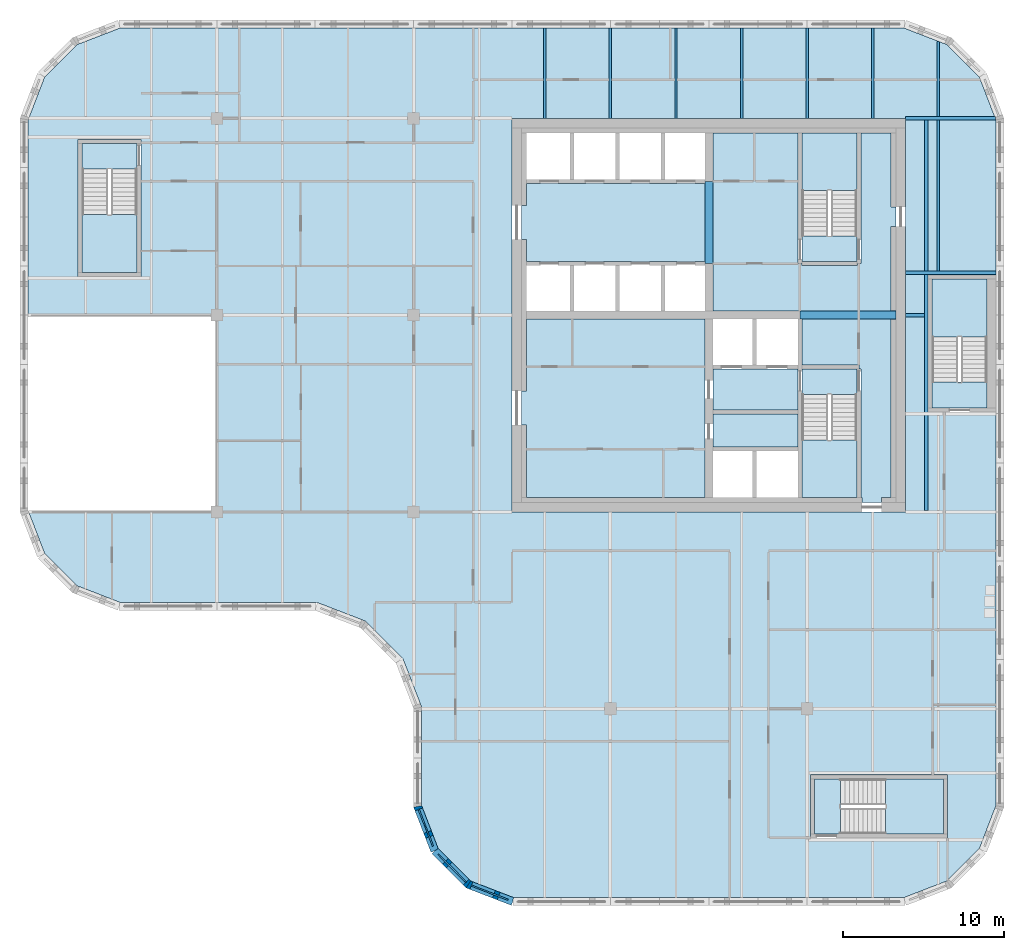
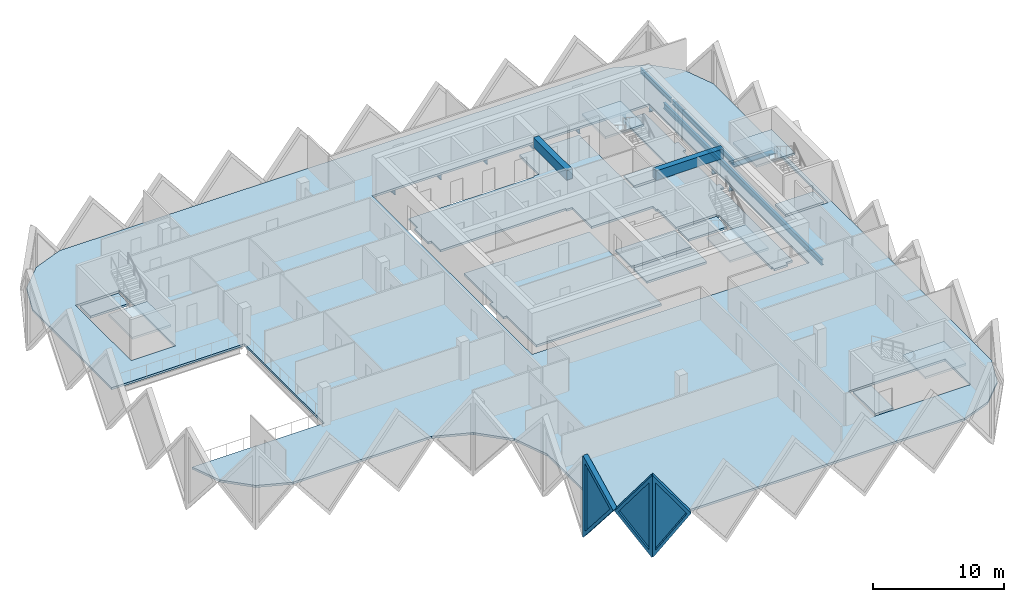
# One storey, part 2 of 12: 15 slabs, 14 beams, 3 plates, 3 walls, 3 openings, 5 elements without a shape of their own.
"""IFC4 building model written with IfcOpenShell, lengths in metres."""

from ifc_helpers import new_model, si_unit, direction, frame, origin, origin_2d, place, context, subcontext, project, spatial, polyline, rectangle, i_section, outline, extrude, faceted_brep, source, transform, mapped, material, layer, layer_set, material_profile, profile_set, type_object, element, fill, aggregate, save


model = new_model("IFC4")

# Units and contexts
model_context = context("Model", 3, precision=1e-05, world=origin(), true_north=direction((0.0, 1.0)))
body_context = subcontext(model_context, "Body", "Model", "MODEL_VIEW")
ifc_project = project(units=[si_unit("LENGTHUNIT", "METRE"), si_unit("AREAUNIT", "SQUARE_METRE"), si_unit("VOLUMEUNIT", "CUBIC_METRE"), si_unit("PLANEANGLEUNIT", "RADIAN"), si_unit("MASSUNIT", "GRAM", prefix="KILO")], contexts=[model_context])

# Site, building, storey
site_placement = place(None, origin())
site = spatial("IfcSite", under=ifc_project, at=site_placement, CompositionType="ELEMENT")
building_placement = place(site_placement, origin())
building = spatial("IfcBuilding", under=site, at=building_placement, Name="Tessera Gate Towers", CompositionType="ELEMENT")
storey_placement = place(building_placement, frame((0.0, 0.0, 182.0)))
storey = spatial("IfcBuildingStorey", under=building, at=storey_placement, Name="L45", CompositionType="ELEMENT", Elevation=182.0)

# Beams
ifc_material_1 = material(Name="Concrete C50/60", Category="concrete")
ifc_material_profile_1 = material_profile(ifc_material_1, rectangle(XDim=0.5, YDim=0.89990234375, at=origin_2d()), Name="RC 500x900")
ifc_profile_set_1 = profile_set([ifc_material_profile_1], Name="Concrete C50/60")
beam_type_1 = type_object("IfcBeamType", Name="COUPLING BEAM 500x900 C50/60", PredefinedType="BEAM", material=ifc_profile_set_1)
beam_1_placement = place(storey_placement, frame((48.35009765625, 36.60009765625, 3.14990234375), z_axis=(1.0, 0.0, 0.0), x_axis=(0.0, 1.0, 0.0)))
element("IfcBeam", 1, at=beam_1_placement, inside=storey, type_object=beam_type_1, Name="L45 coupling beam 1", PredefinedType="BEAM", context=body_context, shape_type="SweptSolid", body=[
    extrude(rectangle(XDim=0.5, YDim=0.89990234375, at=origin_2d()), origin(), (0.0, 0.0, 1.0), 5.949951171875),
])
beam_2_placement = place(storey_placement, frame((42.699951171875, 39.800048828125, 3.14990234375), z_axis=(0.0, 1.0, 0.0), x_axis=(-1.0, 0.0, 0.0)))
element("IfcBeam", 2, at=beam_2_placement, inside=storey, type_object=beam_type_1, Name="L45 coupling beam 2", PredefinedType="BEAM", context=body_context, shape_type="SweptSolid", body=[
    extrude(rectangle(XDim=0.5, YDim=0.89990234375, at=origin_2d()), origin(), (0.0, 0.0, 1.0), 5.099853515625),
])
ifc_material_2 = material(Name="Steel 350W", Category="steel")
ifc_material_profile_2 = material_profile(ifc_material_2, i_section(OverallWidth=0.208984375, OverallDepth=0.532958984375, WebThickness=0.01025390625, FlangeThickness=0.015625, at=origin_2d()), Name="W530x92")
ifc_profile_set_2 = profile_set([ifc_material_profile_2], Name="Steel 350W")
beam_type_2 = type_object("IfcBeamType", Name="FLOOR GIRDER W530x92", PredefinedType="BEAM", material=ifc_profile_set_2)
beam_3_placement = place(storey_placement, frame((54.89892578125, 36.60009765625, -0.466552734375), z_axis=(1.0, 0.0, 0.0), x_axis=(0.0, 1.0, 0.0)))
element("IfcBeam", 3, at=beam_3_placement, inside=storey, type_object=beam_type_2, Name="T1-GD-L45-4896", PredefinedType="BEAM", context=body_context, shape_type="SweptSolid", body=[
    extrude(i_section(OverallWidth=0.208984375, OverallDepth=0.532958984375, WebThickness=0.01025390625, FlangeThickness=0.015625, at=origin_2d()), origin(), (0.0, 0.0, 1.0), 1.176513671875),
])
beam_4_placement = place(storey_placement, frame((54.90087890625, 48.800048828125, -0.466552734375), z_axis=(1.0, 0.0, 0.0), x_axis=(0.0, 1.0, 0.0)))
element("IfcBeam", 4, at=beam_4_placement, inside=storey, type_object=beam_type_2, Name="T1-GD-L45-4900", PredefinedType="BEAM", context=body_context, shape_type="SweptSolid", body=[
    extrude(i_section(OverallWidth=0.208984375, OverallDepth=0.532958984375, WebThickness=0.01025390625, FlangeThickness=0.015625, at=origin_2d()), origin(), (0.0, 0.0, 1.0), 5.564208984375),
])
beam_5_placement = place(storey_placement, frame((54.89892578125, 39.219970703125, -0.466552734375), z_axis=(1.0, 0.0, 0.0), x_axis=(0.0, 1.0, 0.0)))
element("IfcBeam", 5, at=beam_5_placement, inside=storey, type_object=beam_type_2, Name="T1-GD-L45-4918", PredefinedType="BEAM", context=body_context, shape_type="SweptSolid", body=[
    extrude(i_section(OverallWidth=0.208984375, OverallDepth=0.532958984375, WebThickness=0.01025390625, FlangeThickness=0.015625, at=origin_2d()), origin(), (0.0, 0.0, 1.0), 5.60205078125),
])
beam_6_placement = place(storey_placement, frame((56.179931640625, 24.50439453125, -0.466552734375), z_axis=(0.0, 1.0, 0.0), x_axis=(-1.0, 0.0, 0.0)))
element("IfcBeam", 6, at=beam_6_placement, inside=storey, type_object=beam_type_2, Name="T1-GD-L45-4919", PredefinedType="BEAM", context=body_context, shape_type="SweptSolid", body=[
    extrude(i_section(OverallWidth=0.208984375, OverallDepth=0.532958984375, WebThickness=0.01025390625, FlangeThickness=0.015625, at=origin_2d()), origin(), (0.0, 0.0, 1.0), 24.191162109375),
])
ifc_material_3 = material(Name="Steel 350W", Category="steel")
ifc_material_profile_3 = material_profile(ifc_material_3, i_section(OverallWidth=0.153076171875, OverallDepth=0.455078125, WebThickness=0.008056640625, FlangeThickness=0.01318359375, at=origin_2d()), Name="W460x60")
ifc_profile_set_3 = profile_set([ifc_material_profile_3], Name="Steel 350W")
beam_type_3 = type_object("IfcBeamType", Name="FLOOR SECONDARY W460x60", PredefinedType="BEAM", material=ifc_profile_set_3)
for number, where, z_axis, x_axis, name in (
    (7, (32.533203125, 48.800048828125, -0.427490234375), (0.0, 1.0, 0.0), (-1.0, 0.0, 0.0), "T1-BM-L45-4941"),
    (8, (36.60009765625, 48.800048828125, -0.427490234375), (0.0, 1.0, 0.0), (-1.0, 0.0, 0.0), "T1-BM-L45-4942"),
    (9, (40.666748046875, 48.800048828125, -0.427490234375), (0.0, 1.0, 0.0), (-1.0, 0.0, 0.0), "T1-BM-L45-4945"),
    (10, (44.7333984375, 48.800048828125, -0.427490234375), (0.0, 1.0, 0.0), (-1.0, 0.0, 0.0), "T1-BM-L45-4948"),
    (11, (48.800048828125, 48.800048828125, -0.427490234375), (0.0, 1.0, 0.0), (-1.0, 0.0, 0.0), "T1-BM-L45-4949"),
    (12, (52.86669921875, 48.800048828125, -0.427490234375), (0.0, 1.0, 0.0), (-1.0, 0.0, 0.0), "T1-BM-L45-4953"),
):
    element("IfcBeam", number, at=place(storey_placement, frame(where, z_axis=z_axis, x_axis=x_axis)), inside=storey, type_object=beam_type_3, Name=name, PredefinedType="BEAM", context=body_context, shape_type="SweptSolid", body=[
        extrude(i_section(OverallWidth=0.153076171875, OverallDepth=0.455078125, WebThickness=0.008056640625, FlangeThickness=0.01318359375, at=origin_2d()), origin(), (0.0, 0.0, 1.0), 5.599853515625),
    ])
beam_7_placement = place(storey_placement, frame((56.933349609375, 39.324462890625, -0.427490234375), z_axis=(0.0, 1.0, 0.0), x_axis=(-1.0, 0.0, 0.0)))
element("IfcBeam", 13, at=beam_7_placement, inside=storey, type_object=beam_type_3, Name="T1-BM-L45-4958", PredefinedType="BEAM", context=body_context, shape_type="SweptSolid", body=[
    extrude(i_section(OverallWidth=0.153076171875, OverallDepth=0.455078125, WebThickness=0.008056640625, FlangeThickness=0.01318359375, at=origin_2d()), origin(), (0.0, 0.0, 1.0), 9.37109375),
])
beam_8_placement = place(storey_placement, frame((56.933349609375, 48.904541015625, -0.427490234375), z_axis=(0.0, 1.0, 0.0), x_axis=(-1.0, 0.0, 0.0)))
element("IfcBeam", 14, at=beam_8_placement, inside=storey, type_object=beam_type_3, Name="T1-BM-L45-4959", PredefinedType="BEAM", context=body_context, shape_type="SweptSolid", body=[
    extrude(i_section(OverallWidth=0.153076171875, OverallDepth=0.455078125, WebThickness=0.008056640625, FlangeThickness=0.01318359375, at=origin_2d()), origin(), (0.0, 0.0, 1.0), 4.675048828125),
])

# Slabs
ifc_material_4 = material(Name="Concrete C35/45", Category="concrete")
ifc_layer_1 = layer(ifc_material_4, 0.199951171875)
ifc_layer_set_1 = layer_set([ifc_layer_1], Name="COMPOSITE FLOOR 200")
slab_type_1 = type_object("IfcSlabType", Name="COMPOSITE FLOOR 200", PredefinedType="FLOOR", material=ifc_layer_set_1)
slab_1_placement = place(storey_placement, frame((0.0, 0.0, -0.199951171875)))
element("IfcSlab", 15, at=slab_1_placement, inside=storey, type_object=slab_type_1, Name="T1-L45", PredefinedType="FLOOR", context=body_context, shape_type="SweptSolid", body=[
    extrude(outline(polyline([(0.5, 36.60009765625), (12.199951171875, 36.60009765625), (12.199951171875, 24.39990234375), (0.535888671875, 24.39990234375), (1.526123046875, 21.8330078125), (3.533203125, 19.826171875), (6.193115234375, 18.800048828125), (18.39306640625, 18.800048828125), (21.42431640625, 17.630615234375), (23.730712890625, 15.32421875), (24.89990234375, 12.293212890625), (24.89990234375, 6.193115234375), (25.926025390625, 3.533203125), (27.93310546875, 1.526123046875), (30.593017578125, 0.5), (54.806884765625, 0.5), (57.466796875, 1.526123046875), (59.473876953125, 3.533203125), (60.5, 6.193115234375), (60.5, 48.706787109375), (59.473876953125, 51.366943359375), (57.466796875, 53.373779296875), (54.806884765625, 54.39990234375), (6.193115234375, 54.39990234375), (3.533203125, 53.373779296875), (1.526123046875, 51.366943359375), (0.5, 48.706787109375), (0.5, 36.60009765625)]), holes=[polyline([(3.60009765625, 39.0), (3.60009765625, 47.5), (7.5, 47.5), (7.5, 39.0), (3.60009765625, 39.0)]), polyline([(30.5, 24.39990234375), (30.5, 48.800048828125), (54.89990234375, 48.800048828125), (54.89990234375, 24.39990234375), (30.5, 24.39990234375)]), polyline([(49.0, 4.199951171875), (49.0, 8.10009765625), (57.5, 8.10009765625), (57.5, 4.199951171875), (49.0, 4.199951171875)]), polyline([(56.300048828125, 30.60009765625), (56.300048828125, 39.10009765625), (60.199951171875, 39.10009765625), (60.199951171875, 30.60009765625), (56.300048828125, 30.60009765625)])]), origin(), (0.0, 0.0, 1.0), 0.199951171875),
])
ifc_material_5 = material(Name="Concrete C35/45", Category="concrete")
ifc_layer_2 = layer(ifc_material_5, 0.199951171875)
ifc_layer_set_2 = layer_set([ifc_layer_2], Name="CORE FLOOR SLAB 200")
slab_type_2 = type_object("IfcSlabType", Name="CORE FLOOR SLAB 200", PredefinedType="FLOOR", material=ifc_layer_set_2)
slab_2_placement = place(storey_placement, frame((0.0, 0.0, -0.199951171875)))
element("IfcSlab", 16, at=slab_2_placement, inside=storey, type_object=slab_type_2, Name="L45 core floor slab", PredefinedType="FLOOR", context=body_context, shape_type="SweptSolid", body=[
    extrude(outline(polyline([(42.449951171875, 44.89990234375), (42.449951171875, 44.77490234375), (31.39990234375, 44.77490234375), (31.39990234375, 43.39990234375), (31.10009765625, 43.39990234375), (31.10009765625, 41.300048828125), (31.39990234375, 41.300048828125), (31.39990234375, 39.925048828125), (42.449951171875, 39.925048828125), (42.449951171875, 39.800048828125), (42.949951171875, 39.800048828125), (42.949951171875, 36.85009765625), (48.35009765625, 36.85009765625), (48.35009765625, 36.35009765625), (48.47509765625, 36.35009765625), (48.47509765625, 33.52490234375), (52.0, 33.52490234375), (52.0, 33.27490234375), (52.125, 33.27490234375), (52.125, 25.300048828125), (52.199951171875, 25.300048828125), (52.199951171875, 25.0), (53.39990234375, 25.0), (53.39990234375, 25.300048828125), (54.0, 25.300048828125), (54.0, 36.320068359375), (54.300048828125, 36.320068359375), (54.300048828125, 36.8798828125), (54.0, 36.8798828125), (54.0, 42.10009765625), (54.300048828125, 42.10009765625), (54.300048828125, 43.300048828125), (54.0, 43.300048828125), (54.0, 47.89990234375), (52.125, 47.89990234375), (52.125, 39.800048828125), (51.875, 39.800048828125), (51.875, 39.675048828125), (48.47509765625, 39.675048828125), (48.47509765625, 39.800048828125), (48.22509765625, 39.800048828125), (48.22509765625, 47.89990234375), (42.949951171875, 47.89990234375), (42.949951171875, 44.89990234375), (42.449951171875, 44.89990234375)])), origin(), (0.0, 0.0, 1.0), 0.199951171875),
])
slab_3_placement = place(storey_placement, frame((0.0, 0.0, -0.199951171875)))
element("IfcSlab", 17, at=slab_3_placement, inside=storey, type_object=slab_type_2, Name="L45 core floor slab", PredefinedType="FLOOR", context=body_context, shape_type="SweptSolid", body=[
    extrude(outline(polyline([(31.39990234375, 36.35009765625), (31.39990234375, 31.89990234375), (31.10009765625, 31.89990234375), (31.10009765625, 29.800048828125), (31.39990234375, 29.800048828125), (31.39990234375, 25.300048828125), (42.449951171875, 25.300048828125), (42.449951171875, 36.35009765625), (31.39990234375, 36.35009765625)])), origin(), (0.0, 0.0, 1.0), 0.199951171875),
])
slab_4_placement = place(storey_placement, frame((0.0, 0.0, -0.199951171875)))
element("IfcSlab", 18, at=slab_4_placement, inside=storey, type_object=slab_type_2, Name="L45 core floor slab", PredefinedType="FLOOR", context=body_context, shape_type="SweptSolid", body=[
    extrude(outline(polyline([(42.949951171875, 33.27490234375), (42.949951171875, 30.72509765625), (48.22509765625, 30.72509765625), (48.22509765625, 33.27490234375), (42.949951171875, 33.27490234375)])), origin(), (0.0, 0.0, 1.0), 0.199951171875),
])
slab_5_placement = place(storey_placement, frame((0.0, 0.0, -0.199951171875)))
element("IfcSlab", 19, at=slab_5_placement, inside=storey, type_object=slab_type_2, Name="L45 core floor slab", PredefinedType="FLOOR", context=body_context, shape_type="SweptSolid", body=[
    extrude(outline(polyline([(48.22509765625, 30.47509765625), (42.949951171875, 30.47509765625), (42.949951171875, 28.425048828125), (48.22509765625, 28.425048828125), (48.22509765625, 30.47509765625)])), origin(), (0.0, 0.0, 1.0), 0.199951171875),
])
slab_6_placement = place(storey_placement, frame((0.0, 0.0, -0.199951171875)))
element("IfcSlab", 20, at=slab_6_placement, inside=storey, type_object=slab_type_2, Name="L45 core floor slab", PredefinedType="FLOOR", context=body_context, shape_type="SweptSolid", body=[
    extrude(outline(polyline([(51.875, 31.675048828125), (51.875, 33.27490234375), (48.47509765625, 33.27490234375), (48.47509765625, 31.675048828125), (51.875, 31.675048828125)])), origin(), (0.0, 0.0, 1.0), 0.199951171875),
])
slab_7_placement = place(storey_placement, frame((0.0, 0.0, -0.199951171875)))
element("IfcSlab", 21, at=slab_7_placement, inside=storey, type_object=slab_type_2, Name="L45 core floor slab", PredefinedType="FLOOR", context=body_context, shape_type="SweptSolid", body=[
    extrude(outline(polyline([(48.47509765625, 41.52490234375), (48.47509765625, 39.925048828125), (51.875, 39.925048828125), (51.875, 41.52490234375), (48.47509765625, 41.52490234375)])), origin(), (0.0, 0.0, 1.0), 0.199951171875),
])
slab_8_placement = place(storey_placement, frame((0.0, 0.0, -0.199951171875)))
element("IfcSlab", 22, at=slab_8_placement, inside=storey, type_object=slab_type_2, Name="L45 ST3 floor landing", PredefinedType="FLOOR", context=body_context, shape_type="SweptSolid", body=[
    extrude(outline(polyline([(3.85009765625, 47.25), (3.85009765625, 45.64990234375), (7.25, 45.64990234375), (7.25, 47.25), (3.85009765625, 47.25)])), origin(), (0.0, 0.0, 1.0), 0.199951171875),
])
slab_9_placement = place(storey_placement, frame((0.0, 0.0, -0.199951171875)))
element("IfcSlab", 23, at=slab_9_placement, inside=storey, type_object=slab_type_2, Name="L45 ST4 floor landing", PredefinedType="FLOOR", context=body_context, shape_type="SweptSolid", body=[
    extrude(outline(polyline([(49.25, 4.449951171875), (50.85009765625, 4.449951171875), (50.85009765625, 7.85009765625), (49.25, 7.85009765625), (49.25, 4.449951171875)])), origin(), (0.0, 0.0, 1.0), 0.199951171875),
])
slab_10_placement = place(storey_placement, frame((0.0, 0.0, -0.199951171875)))
element("IfcSlab", 24, at=slab_10_placement, inside=storey, type_object=slab_type_2, Name="L45 ST5 floor landing", PredefinedType="FLOOR", context=body_context, shape_type="SweptSolid", body=[
    extrude(outline(polyline([(59.949951171875, 30.85009765625), (59.949951171875, 32.449951171875), (56.550048828125, 32.449951171875), (56.550048828125, 30.85009765625), (59.949951171875, 30.85009765625)])), origin(), (0.0, 0.0, 1.0), 0.199951171875),
])

# Stair, slab
ifc_material_6 = material(Name="Concrete C40/50", Category="concrete")
stair_type_1 = type_object("IfcStairType", Name="EXIT STAIR ST1 1600", PredefinedType="HALF_TURN_STAIR", material=ifc_material_6)
stair_1_placement = place(storey_placement, origin())
stair_1 = element("IfcStair", 25, at=stair_1_placement, inside=storey, type_object=stair_type_1, Name="L45 Protected Exit Stair ST1", PredefinedType="HALF_TURN_STAIR")
ifc_material_7 = material(Name="Concrete C40/50", Category="concrete")
ifc_layer_3 = layer(ifc_material_7, 0.199951171875)
ifc_layer_set_3 = layer_set([ifc_layer_3], Name="EXIT STAIR LANDING 200")
slab_type_3 = type_object("IfcSlabType", Name="EXIT STAIR LANDING 200", PredefinedType="LANDING", material=ifc_layer_set_3)
slab_11_placement = place(storey_placement, frame((0.0, 0.0, 1.699951171875)))
slab_11 = element("IfcSlab", 26, at=slab_11_placement, type_object=slab_type_3, Name="ST1 landing 1", PredefinedType="LANDING", context=body_context, shape_type="SweptSolid", body=[
    extrude(outline(polyline([(48.47509765625, 28.875), (48.47509765625, 25.300048828125), (51.875, 25.300048828125), (51.875, 28.875), (48.47509765625, 28.875)])), origin(), (0.0, 0.0, 1.0), 0.199951171875),
])
aggregate(stair_1, [slab_11])

ifc_material_8 = material(Name="Concrete C40/50", Category="concrete")
stair_type_2 = type_object("IfcStairType", Name="EXIT STAIR ST2 1600", PredefinedType="HALF_TURN_STAIR", material=ifc_material_8)
stair_2_placement = place(storey_placement, origin())
stair_2 = element("IfcStair", 27, at=stair_2_placement, inside=storey, type_object=stair_type_2, Name="L45 Protected Exit Stair ST2", PredefinedType="HALF_TURN_STAIR")
slab_12_placement = place(storey_placement, frame((0.0, 0.0, 1.699951171875)))
slab_12 = element("IfcSlab", 28, at=slab_12_placement, type_object=slab_type_3, Name="ST2 landing 1", PredefinedType="LANDING", context=body_context, shape_type="SweptSolid", body=[
    extrude(outline(polyline([(51.875, 44.324951171875), (51.875, 47.89990234375), (48.47509765625, 47.89990234375), (48.47509765625, 44.324951171875), (51.875, 44.324951171875)])), origin(), (0.0, 0.0, 1.0), 0.199951171875),
])
aggregate(stair_2, [slab_12])

ifc_material_9 = material(Name="Concrete C40/50", Category="concrete")
stair_type_3 = type_object("IfcStairType", Name="EXIT STAIR ST3 1600", PredefinedType="HALF_TURN_STAIR", material=ifc_material_9)
stair_3_placement = place(storey_placement, origin())
stair_3 = element("IfcStair", 29, at=stair_3_placement, inside=storey, type_object=stair_type_3, Name="L45 West Exit Stair ST3", PredefinedType="HALF_TURN_STAIR")
slab_13_placement = place(storey_placement, frame((0.0, 0.0, 1.699951171875)))
slab_13 = element("IfcSlab", 30, at=slab_13_placement, type_object=slab_type_3, Name="ST3 landing 1", PredefinedType="LANDING", context=body_context, shape_type="SweptSolid", body=[
    extrude(outline(polyline([(3.85009765625, 42.85009765625), (3.85009765625, 39.25), (7.25, 39.25), (7.25, 42.85009765625), (3.85009765625, 42.85009765625)])), origin(), (0.0, 0.0, 1.0), 0.199951171875),
])
aggregate(stair_3, [slab_13])

ifc_material_10 = material(Name="Concrete C40/50", Category="concrete")
stair_type_4 = type_object("IfcStairType", Name="EXIT STAIR ST4 1600", PredefinedType="HALF_TURN_STAIR", material=ifc_material_10)
stair_4_placement = place(storey_placement, origin())
stair_4 = element("IfcStair", 31, at=stair_4_placement, inside=storey, type_object=stair_type_4, Name="L45 South Exit Stair ST4", PredefinedType="HALF_TURN_STAIR")
slab_14_placement = place(storey_placement, frame((0.0, 0.0, 1.699951171875)))
slab_14 = element("IfcSlab", 32, at=slab_14_placement, type_object=slab_type_3, Name="ST4 landing 1", PredefinedType="LANDING", context=body_context, shape_type="SweptSolid", body=[
    extrude(outline(polyline([(53.64990234375, 4.449951171875), (57.25, 4.449951171875), (57.25, 7.85009765625), (53.64990234375, 7.85009765625), (53.64990234375, 4.449951171875)])), origin(), (0.0, 0.0, 1.0), 0.199951171875),
])
aggregate(stair_4, [slab_14])

ifc_material_11 = material(Name="Concrete C40/50", Category="concrete")
stair_type_5 = type_object("IfcStairType", Name="EXIT STAIR ST5 1600", PredefinedType="HALF_TURN_STAIR", material=ifc_material_11)
stair_5_placement = place(storey_placement, origin())
stair_5 = element("IfcStair", 33, at=stair_5_placement, inside=storey, type_object=stair_type_5, Name="L45 East Exit Stair ST5", PredefinedType="HALF_TURN_STAIR")
slab_15_placement = place(storey_placement, frame((0.0, 0.0, 1.699951171875)))
slab_15 = element("IfcSlab", 34, at=slab_15_placement, type_object=slab_type_3, Name="ST5 landing 1", PredefinedType="LANDING", context=body_context, shape_type="SweptSolid", body=[
    extrude(outline(polyline([(59.949951171875, 35.25), (59.949951171875, 38.85009765625), (56.550048828125, 38.85009765625), (56.550048828125, 35.25), (59.949951171875, 35.25)])), origin(), (0.0, 0.0, 1.0), 0.199951171875),
])
aggregate(stair_5, [slab_15])

# Wall, opening, plate
ifc_material_12 = material(Name="Precast concrete C60/75 white", Category="concrete")
ifc_layer_4 = layer(ifc_material_12, 0.5)
ifc_layer_set_4 = layer_set([ifc_layer_4], Name="TS3 corner tessera")
wall_type = type_object("IfcWallType", Name="TS3 corner tessera", PredefinedType="SOLIDWALL", material=ifc_layer_set_4)
shared_shape_1 = source(origin(), body_context, "Body", "Brep", [
    faceted_brep([(0.046630859375, -0.25, 0.0), (2.9970703125, -0.25, 3.800048828125), (0.046630859375, -0.25, 7.60009765625), (0.0, -0.25, 7.541259765625), (0.0, -0.25, 0.058837890625), (0.09326171875, 0.25, 7.5400390625), (2.9443359375, 0.25, 3.8681640625), (2.9443359375, 0.25, 3.73193359375), (0.09326171875, 0.25, 0.06005859375), (2.9970703125, 0.00048828125, 3.800048828125), (0.046630859375, 0.0, 0.0), (0.046630859375, 0.0, 7.60009765625)], [[[0, 1, 2, 3, 4]], [[5, 6, 7, 8]], [[8, 7, 9, 1, 0, 10]], [[6, 5, 11, 2, 1, 9]], [[3, 2, 11]], [[10, 0, 4]], [[8, 10, 4, 3, 11, 5]], [[9, 7, 6]]]),
])
wall_1_placement = place(storey_placement, frame((24.63330078125, 6.18994140625, -3.800048828125), z_axis=(0.0, 0.0, 1.0), x_axis=(0.359901446078, -0.932990326376, 0.0)))
wall_1 = element("IfcWall", 35, at=wall_1_placement, inside=storey, type_object=wall_type, Name="Precast corner tessera T1 TS3-1054", PredefinedType="SOLIDWALL", context=body_context, shape_type="MappedRepresentation", body=[
    mapped(shared_shape_1, transform((0.0, 0.0, 0.0), scale=1.0)),
])
shared_shape_2 = source(origin(), body_context, "Body", "SweptSolid", [
    extrude(outline(polyline([(0.24658203125, 0.665283203125), (2.6806640625, 3.800048828125), (0.24658203125, 6.934814453125), (0.24658203125, 0.665283203125)])), frame((0.0, 0.260009765625, 0.0), z_axis=(0.0, -1.0, 0.0), x_axis=(1.0, 0.0, 0.0)), (0.0, 0.0, 1.0), 0.52001953125),
])
opening_1_placement = place(wall_1_placement, origin())
opening_1 = element("IfcOpeningElement", 36, at=opening_1_placement, cuts=wall_1, Name="Opening T1-PL2-1642", PredefinedType="OPENING", context=body_context, shape_type="MappedRepresentation", body=[
    mapped(shared_shape_2, transform((0.0, 0.0, 0.0), scale=1.0)),
])
ifc_material_13 = material(Name="Low-e laminated glass", Category="glass")
ifc_layer_5 = layer(ifc_material_13, 0.06005859375)
ifc_layer_set_5 = layer_set([ifc_layer_5], Name="PL2 rhombic pane")
plate_type = type_object("IfcPlateType", Name="PL2 rhombic pane", PredefinedType="SHEET", material=ifc_layer_set_5)
shared_shape_3 = source(origin(), body_context, "Body", "SweptSolid", [
    extrude(outline(polyline([(0.24658203125, 0.665283203125), (2.6806640625, 3.800048828125), (0.24658203125, 6.934814453125), (0.24658203125, 0.665283203125)])), frame((0.0, 0.030029296875, 0.0), z_axis=(0.0, -1.0, 0.0), x_axis=(1.0, 0.0, 0.0)), (0.0, 0.0, 1.0), 0.06005859375),
])
plate_1_placement = place(opening_1_placement, origin())
plate_1 = element("IfcPlate", 37, at=plate_1_placement, inside=storey, type_object=plate_type, Name="Glass pane T1 PL2-1642", PredefinedType="SHEET", context=body_context, shape_type="MappedRepresentation", body=[
    mapped(shared_shape_3, transform((0.0, 0.0, 0.0), scale=1.0)),
])
fill(opening_1, plate_1)

shared_shape_4 = source(origin(), body_context, "Body", "Brep", [
    faceted_brep([(0.052978515625, -0.25, 0.0), (3.00341796875, -0.25, 3.800048828125), (0.052978515625, -0.25, 7.60009765625), (0.0, -0.25, 7.53173828125), (0.0, -0.25, 0.068359375), (0.10595703125, 0.25, 7.531982421875), (2.95703125, 0.25, 3.85986328125), (2.95703125, 0.25, 3.740234375), (0.10595703125, 0.25, 0.068115234375), (3.00341796875, 0.00048828125, 3.800048828125), (0.052978515625, 0.0, 0.0), (0.052978515625, 0.0, 7.60009765625)], [[[0, 1, 2, 3, 4]], [[5, 6, 7, 8]], [[8, 7, 9, 1, 0, 10]], [[6, 5, 11, 2, 1, 9]], [[3, 2, 11]], [[10, 0, 4]], [[8, 10, 4, 3, 11, 5]], [[9, 7, 6]]]),
])
wall_2_placement = place(storey_placement, frame((27.744384765625, 1.3310546875, -3.800048828125), z_axis=(0.0, 0.0, 1.0), x_axis=(0.932970071518, -0.359953949349, 0.0)))
wall_2 = element("IfcWall", 38, at=wall_2_placement, inside=storey, type_object=wall_type, Name="Precast corner tessera T1 TS3-1056", PredefinedType="SOLIDWALL", context=body_context, shape_type="MappedRepresentation", body=[
    mapped(shared_shape_4, transform((0.0, 0.0, 0.0), scale=1.0)),
])
shared_shape_5 = source(origin(), body_context, "Body", "SweptSolid", [
    extrude(outline(polyline([(0.2529296875, 0.665283203125), (2.68701171875, 3.800048828125), (0.2529296875, 6.934814453125), (0.2529296875, 0.665283203125)])), frame((0.0, 0.260009765625, 0.0), z_axis=(0.0, -1.0, 0.0), x_axis=(1.0, 0.0, 0.0)), (0.0, 0.0, 1.0), 0.52001953125),
])
opening_2_placement = place(wall_2_placement, origin())
opening_2 = element("IfcOpeningElement", 39, at=opening_2_placement, cuts=wall_2, Name="Opening T1-PL2-1644", PredefinedType="OPENING", context=body_context, shape_type="MappedRepresentation", body=[
    mapped(shared_shape_5, transform((0.0, 0.0, 0.0), scale=1.0)),
])
shared_shape_6 = source(origin(), body_context, "Body", "SweptSolid", [
    extrude(outline(polyline([(0.2529296875, 0.665283203125), (2.68701171875, 3.800048828125), (0.2529296875, 6.934814453125), (0.2529296875, 0.665283203125)])), frame((0.0, 0.030029296875, 0.0), z_axis=(0.0, -1.0, 0.0), x_axis=(1.0, 0.0, 0.0)), (0.0, 0.0, 1.0), 0.06005859375),
])
plate_2_placement = place(opening_2_placement, origin())
plate_2 = element("IfcPlate", 40, at=plate_2_placement, inside=storey, type_object=plate_type, Name="Glass pane T1 PL2-1644", PredefinedType="SHEET", context=body_context, shape_type="MappedRepresentation", body=[
    mapped(shared_shape_6, transform((0.0, 0.0, 0.0), scale=1.0)),
])
fill(opening_2, plate_2)

shared_shape_7 = source(origin(), body_context, "Body", "Brep", [
    faceted_brep([(2.944091796875, -0.25, 0.0), (2.9970703125, -0.25, 0.068115234375), (2.9970703125, -0.25, 7.531982421875), (2.944091796875, -0.25, 7.60009765625), (0.0, -0.25, 3.800048828125), (0.052978515625, 0.25, 3.868408203125), (2.89111328125, 0.25, 7.531982421875), (2.89111328125, 0.25, 0.068115234375), (0.052978515625, 0.25, 3.731689453125), (2.944091796875, 0.000244140625, 0.0), (2.944091796875, 0.000244140625, 7.60009765625), (0.0, 0.0, 3.800048828125)], [[[0, 1, 2, 3, 4]], [[5, 6, 7, 8]], [[1, 0, 9]], [[10, 3, 2]], [[6, 5, 11, 4, 3, 10]], [[8, 7, 9, 0, 4, 11]], [[8, 11, 5]], [[1, 9, 7, 6, 10, 2]]]),
])
wall_3_placement = place(storey_placement, frame((25.7119140625, 3.393798828125, -3.800048828125), z_axis=(0.0, 0.0, 1.0), x_axis=(0.707066050402, -0.707147509625, 0.0)))
wall_3 = element("IfcWall", 41, at=wall_3_placement, inside=storey, type_object=wall_type, Name="Precast corner tessera T1 TS3-1055", PredefinedType="SOLIDWALL", context=body_context, shape_type="MappedRepresentation", body=[
    mapped(shared_shape_7, transform((0.0, 0.0, 0.0), scale=1.0)),
])
shared_shape_8 = source(origin(), body_context, "Body", "SweptSolid", [
    extrude(outline(polyline([(2.744140625, 6.933837890625), (0.316162109375, 3.800048828125), (2.744140625, 0.666259765625), (2.744140625, 6.933837890625)])), frame((0.0, 0.260009765625, 0.0), z_axis=(0.0, -1.0, 0.0), x_axis=(1.0, 0.0, 0.0)), (0.0, 0.0, 1.0), 0.52001953125),
])
opening_3_placement = place(wall_3_placement, origin())
opening_3 = element("IfcOpeningElement", 42, at=opening_3_placement, cuts=wall_3, Name="Opening T1-PL2-1643", PredefinedType="OPENING", context=body_context, shape_type="MappedRepresentation", body=[
    mapped(shared_shape_8, transform((0.0, 0.0, 0.0), scale=1.0)),
])
shared_shape_9 = source(origin(), body_context, "Body", "SweptSolid", [
    extrude(outline(polyline([(2.744140625, 6.933837890625), (0.316162109375, 3.800048828125), (2.744140625, 0.666259765625), (2.744140625, 6.933837890625)])), frame((0.0, 0.030029296875, 0.0), z_axis=(0.0, -1.0, 0.0), x_axis=(1.0, 0.0, 0.0)), (0.0, 0.0, 1.0), 0.06005859375),
])
plate_3_placement = place(opening_3_placement, origin())
plate_3 = element("IfcPlate", 43, at=plate_3_placement, inside=storey, type_object=plate_type, Name="Glass pane T1 PL2-1643", PredefinedType="SHEET", context=body_context, shape_type="MappedRepresentation", body=[
    mapped(shared_shape_9, transform((0.0, 0.0, 0.0), scale=1.0)),
])
fill(opening_3, plate_3)

save(model, "model.ifc")
